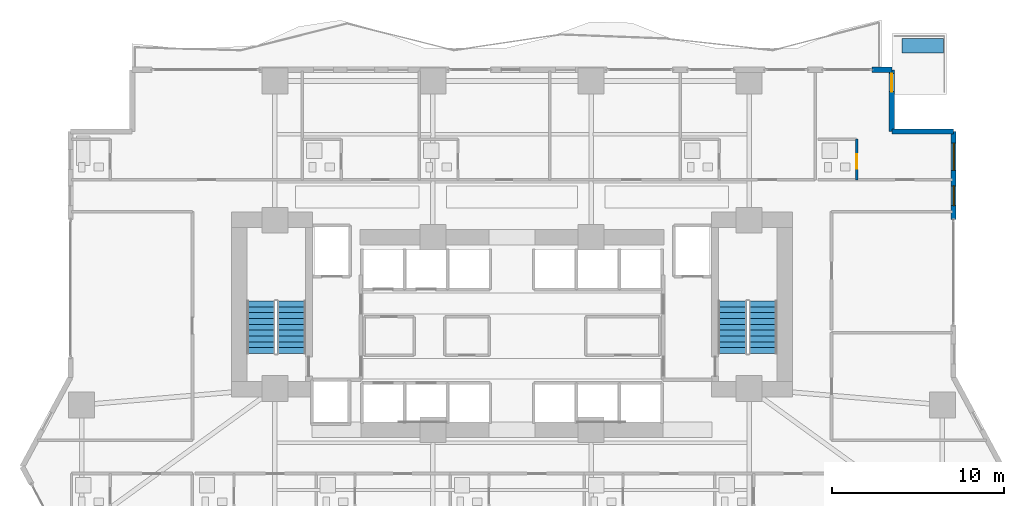
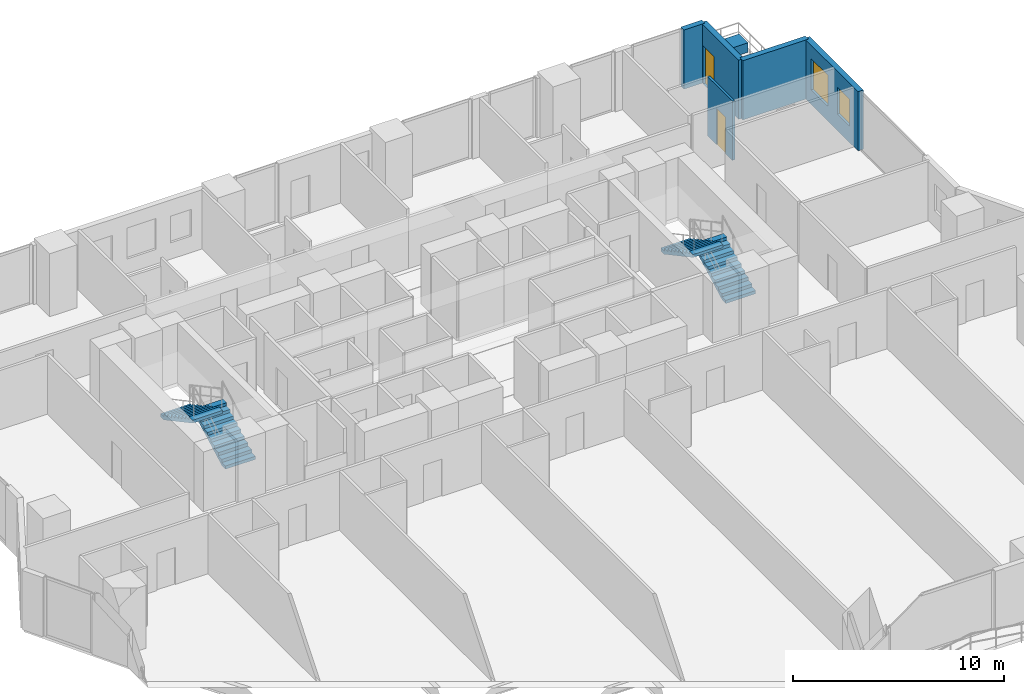
# One storey, part 23 of 28: 5 walls, 4 stair flights, 2 doors, 2 windows, 1 building element part, 4 openings, 2 elements without a shape of their own.
"""IFC4 building model written with IfcOpenShell, lengths in metres."""

import ifcopenshell
import ifcopenshell.guid

model = None  # the IFC model being written
_history = None  # IfcOwnerHistory: only IFC2X3 demands one
_inside = {}  # id of a spatial element -> (the spatial element, [elements in it])
_under = {}  # id of a project, library or spatial element -> (it, [spatial elements below it])
_declared = {}  # id of a project -> (the project, [libraries it declares])
_typed = {}  # id of a type object -> (the type object, [elements of that type])
_made_of = {}  # id of a material, layer set ... -> (it, [elements and type objects made of it])


def new_model(schema):
    """Start an empty IFC model of exactly this schema.

    Asked for "IFC4X3", IfcOpenShell would pick the latest addendum, in which some entities
    have other attributes; the version numbers below select the first issue.
    IFC2X3 requires an IfcOwnerHistory on every rooted entity: one is made here for all.
    """
    global model, _history
    if schema == "IFC4X3":
        model = ifcopenshell.file(schema_version=(4, 3, 0, 0))
    else:
        model = ifcopenshell.file(schema=schema)
    _inside.clear()
    _under.clear()
    _declared.clear()
    _typed.clear()
    _made_of.clear()
    _history = None
    if model.schema == "IFC2X3":
        org = make("IfcOrganization", Name="unknown")
        user = make(
            "IfcPersonAndOrganization",
            ThePerson=make("IfcPerson", FamilyName="unknown"),
            TheOrganization=org,
        )
        app = make(
            "IfcApplication",
            ApplicationDeveloper=org,
            Version="unknown",
            ApplicationFullName="unknown",
            ApplicationIdentifier="unknown",
        )
        _history = make(
            "IfcOwnerHistory",
            OwningUser=user,
            OwningApplication=app,
            ChangeAction="ADDED",
            CreationDate=0,
        )
    return model


def make(cls, **values):
    """One entity of the class cls with the attributes given. An attribute that is None is left unset."""
    return model.create_entity(
        cls, **{name: value for name, value in values.items() if value is not None}
    )


def rooted(cls, **values):
    """An entity with a GlobalId (a new one), such as an element, a storey or a relation."""
    return make(cls, GlobalId=ifcopenshell.guid.new(), OwnerHistory=_history, **values)


def si_unit(unit_type, name, prefix=None):
    """IfcSIUnit, for example si_unit("LENGTHUNIT", "METRE", prefix="MILLI")."""
    return make("IfcSIUnit", UnitType=unit_type, Prefix=prefix, Name=name)


def assignment(units):
    """IfcUnitAssignment: the units of a project."""
    return None if units is None else make("IfcUnitAssignment", Units=units)


def point(xyz):
    """IfcCartesianPoint."""
    return None if xyz is None else make("IfcCartesianPoint", Coordinates=xyz)


def direction(xyz):
    """IfcDirection."""
    return None if xyz is None else make("IfcDirection", DirectionRatios=xyz)


def frame(location, z_axis=None, x_axis=None):
    """IfcAxis2Placement3D, a coordinate frame: its origin and axes. An axis left out is left unset."""
    return make(
        "IfcAxis2Placement3D",
        Location=point(location),
        Axis=direction(z_axis),
        RefDirection=direction(x_axis),
    )


def frame_2d(location, x_axis=None):
    """IfcAxis2Placement2D, a coordinate frame in the plane: its origin and x axis."""
    return make(
        "IfcAxis2Placement2D", Location=point(location), RefDirection=direction(x_axis)
    )


def origin():
    """The frame at (0, 0, 0) with its axes left unset."""
    return frame((0.0, 0.0, 0.0))


def origin_2d():
    """The frame at (0, 0) in the plane with its x axis left unset."""
    return frame_2d((0.0, 0.0))


def place(relative_to, where):
    """IfcLocalPlacement: puts the frame where relative to a parent placement (None: the world)."""
    return make(
        "IfcLocalPlacement", PlacementRelTo=relative_to, RelativePlacement=where
    )


def context(
    kind, dimensions, precision=None, world=None, true_north=None, identifier=None
):
    """IfcGeometricRepresentationContext, for example the 3D "Model" context."""
    return make(
        "IfcGeometricRepresentationContext",
        ContextIdentifier=identifier,
        ContextType=kind,
        CoordinateSpaceDimension=dimensions,
        Precision=precision,
        WorldCoordinateSystem=world,
        TrueNorth=true_north,
    )


def subcontext(parent, identifier, kind, view, scale=None):
    """IfcGeometricRepresentationSubContext, for example "Body" below "Model"."""
    return make(
        "IfcGeometricRepresentationSubContext",
        ContextIdentifier=identifier,
        ContextType=kind,
        ParentContext=parent,
        TargetScale=scale,
        TargetView=view,
    )


def project(units=None, contexts=None):
    """IfcProject with its units and contexts."""
    return rooted(
        "IfcProject",
        Name="project",
        RepresentationContexts=contexts,
        UnitsInContext=assignment(units),
    )


def spatial(cls, under=None, at=None, **own):
    """A site, building, storey or space (cls), placed at a placement, below another one or the project."""
    s = rooted(cls, ObjectPlacement=at, **own)
    if under is not None:
        _under.setdefault(under.id(), (under, []))[1].append(s)
    return s


def polyline(points):
    """IfcPolyline through the points."""
    return make("IfcPolyline", Points=[point(p) for p in points])


def profile(cls, at=None, kind="AREA", **sizes):
    """A parametric profile (cls). Its sizes go by their IFC names, for example OverallWidth=200.0."""
    return make(cls, ProfileType=kind, Position=at, **sizes)


def rectangle(**sizes):
    """IfcRectangleProfileDef."""
    return profile("IfcRectangleProfileDef", **sizes)


def outline(outer, holes=None, kind="AREA"):
    """IfcArbitraryClosedProfileDef: a profile drawn as a closed curve; with holes, ...WithVoids."""
    if holes is None:
        return make("IfcArbitraryClosedProfileDef", ProfileType=kind, OuterCurve=outer)
    return make(
        "IfcArbitraryProfileDefWithVoids",
        ProfileType=kind,
        OuterCurve=outer,
        InnerCurves=holes,
    )


def extrude(swept, where, along, depth):
    """IfcExtrudedAreaSolid: the profile swept, set in the frame where, extruded along a direction by depth."""
    return make(
        "IfcExtrudedAreaSolid",
        SweptArea=swept,
        Position=where,
        ExtrudedDirection=direction(along),
        Depth=depth,
    )


def shape(context_of_items, identifier, shape_type, items):
    """IfcShapeRepresentation: the items that make up one representation, for example the "Body"."""
    return make(
        "IfcShapeRepresentation",
        ContextOfItems=context_of_items,
        RepresentationIdentifier=identifier,
        RepresentationType=shape_type,
        Items=items,
    )


def material(Name=None, Category=None):
    """IfcMaterial."""
    return make("IfcMaterial", Name=Name, Category=Category)


def layer(
    of_material, thickness, ventilated=None, Name=None, Category=None, Priority=None
):
    """IfcMaterialLayer: one layer of a wall or slab, of a material (None: an air gap)."""
    return make(
        "IfcMaterialLayer",
        Material=of_material,
        LayerThickness=thickness,
        IsVentilated=ventilated,
        Name=Name,
        Category=Category,
        Priority=Priority,
    )


def layer_set(layers, Name=None):
    """IfcMaterialLayerSet."""
    return make("IfcMaterialLayerSet", MaterialLayers=layers, LayerSetName=Name)


def made_of(thing, what):
    """Note that an element or type object is made of a material, layer set ...; save() writes the relation."""
    if what is not None:
        _made_of.setdefault(what.id(), (what, []))[1].append(thing)
    return thing


def type_object(cls, material=None, **own):
    """A type object (cls), such as IfcWallType, which elements share."""
    return made_of(rooted(cls, **own), material)


def element(
    cls,
    number,
    at=None,
    inside=None,
    cuts=None,
    type_object=None,
    material=None,
    context=None,
    identifier="Body",
    shape_type=None,
    held_by="IfcProductDefinitionShape",
    body=None,
    shapes=None,
    **own,
):
    """One element of the class cls, such as IfcWall. Its Tag is "e" and its number.

    at: its placement. inside: the storey or other place that contains it. cuts: it is an
    opening in that element (IfcRelVoidsElement). A single representation is given by context,
    identifier, shape_type and body (its items); several are given by shapes. held_by: the class
    of the entity that holds the representations. save() writes the other relations.
    """
    e = rooted(cls, Tag="e%d" % number, ObjectPlacement=at, **own)
    if body is not None:
        shapes = [shape(context, identifier, shape_type, body)]
    if shapes is not None:
        e.Representation = make(held_by, Representations=shapes)
    if inside is not None:
        _inside.setdefault(inside.id(), (inside, []))[1].append(e)
    if cuts is not None:
        rooted(
            "IfcRelVoidsElement", RelatingBuildingElement=cuts, RelatedOpeningElement=e
        )
    if type_object is not None:
        _typed.setdefault(type_object.id(), (type_object, []))[1].append(e)
    return made_of(e, material)


def fill(opening, filler):
    """IfcRelFillsElement: the door or window that sits in an opening."""
    return rooted(
        "IfcRelFillsElement",
        RelatingOpeningElement=opening,
        RelatedBuildingElement=filler,
    )


def aggregate(whole, parts):
    """IfcRelAggregates: a whole, such as a stair, and the parts it consists of."""
    return rooted("IfcRelAggregates", RelatingObject=whole, RelatedObjects=parts)


def save(model, path):
    """Write the relations noted so far, then the file.

    IfcRelAggregates (storeys below a building ...), IfcRelContainedInSpatialStructure (elements
    in a storey), IfcRelDefinesByType, IfcRelAssociatesMaterial and IfcRelDeclares: one each for
    every whole, place, type object, material and project.
    """
    for whole, parts in _under.values():
        aggregate(whole, parts)
    for where, things in _inside.values():
        rooted(
            "IfcRelContainedInSpatialStructure",
            RelatedElements=things,
            RelatingStructure=where,
        )
    for kind, things in _typed.values():
        rooted("IfcRelDefinesByType", RelatedObjects=things, RelatingType=kind)
    for what, things in _made_of.values():
        rooted("IfcRelAssociatesMaterial", RelatedObjects=things, RelatingMaterial=what)
    for by, libraries in _declared.values():
        rooted("IfcRelDeclares", RelatingContext=by, RelatedDefinitions=libraries)
    model.write(path)


model = new_model("IFC4")

# Units and contexts
model_context = context("Model", 3, precision=1e-05, world=origin(), true_north=direction((0.0, 1.0)))
body_context = subcontext(model_context, "Body", "Model", "MODEL_VIEW")
ifc_project = project(units=[si_unit("LENGTHUNIT", "METRE"), si_unit("AREAUNIT", "SQUARE_METRE"), si_unit("VOLUMEUNIT", "CUBIC_METRE"), si_unit("PLANEANGLEUNIT", "RADIAN"), si_unit("MASSUNIT", "GRAM", prefix="KILO")], contexts=[model_context])

# Site, building, storey
site_placement = place(None, origin())
site = spatial("IfcSite", under=ifc_project, at=site_placement, CompositionType="ELEMENT")
building_placement = place(site_placement, origin())
building = spatial("IfcBuilding", under=site, at=building_placement, Name="Zuhayl Quay Hotel", CompositionType="ELEMENT")
storey_placement = place(building_placement, frame((0.0, 0.0, 56.800048828125)))
storey = spatial("IfcBuildingStorey", under=building, at=storey_placement, Name="L13", CompositionType="ELEMENT", Elevation=56.800048828125)

# Wall
ifc_material_1 = material(Name="Precast concrete C45/55", Category="concrete")
ifc_layer_1 = layer(ifc_material_1, 0.300048828125, Name="Precast concrete C45/55", Category="concrete")
ifc_layer_set_1 = layer_set([ifc_layer_1], Name="Precast concrete C45/55")
wall_type_1 = type_object("IfcWallType", Name="WL_EXT_300", PredefinedType="STANDARD", material=ifc_layer_set_1)
wall_1_placement = place(storey_placement, frame((20.949951171875, 23.10009765625, 0.0), z_axis=(0.0, 0.0, 1.0), x_axis=(1.0, 0.0, 0.0)))
element("IfcWall", 1, at=wall_1_placement, inside=storey, type_object=wall_type_1, Name="L13 Exterior Precast Wall ENV_L13_N_EW7", PredefinedType="STANDARD", context=body_context, shape_type="SweptSolid", body=[
    extrude(rectangle(XDim=1.150146484375, YDim=0.300048828125, at=frame_2d((0.5751953125, 0.0))), origin(), (0.0, 0.0, 1.0), 3.429931640625),
])

# Wall, opening, door
wall_2_placement = place(storey_placement, frame((22.10009765625, 23.10009765625, 0.0), z_axis=(0.0, 0.0, 1.0), x_axis=(0.0, -1.0, 0.0)))
wall_2 = element("IfcWall", 2, at=wall_2_placement, inside=storey, type_object=wall_type_1, Name="L13 Exterior Precast Wall ENV_L13_SP_NE", PredefinedType="STANDARD", context=body_context, shape_type="SweptSolid", body=[
    extrude(rectangle(XDim=3.60009765625, YDim=0.300048828125, at=frame_2d((1.800048828125, 0.0))), origin(), (0.0, 0.0, 1.0), 3.429931640625),
])
opening_1_placement = place(wall_2_placement, frame((0.219970703125, 0.0, 0.0)))
opening_1 = element("IfcOpeningElement", 3, at=opening_1_placement, cuts=wall_2, Name="Opening DG1", PredefinedType="OPENING", context=body_context, shape_type="SweptSolid", body=[
    extrude(rectangle(XDim=1.050048828125, YDim=2.199951171875, at=frame_2d((0.52490234375, 1.10009765625))), frame((0.0, 0.159912109375, 0.0), z_axis=(0.0, -1.0, 0.0), x_axis=(1.0, 0.0, 0.0)), (0.0, 0.0, 1.0), 0.320068359375),
])
ifc_material_2 = material(Name="Anodised Aluminium and Dark Solar Glass", Category="aluminium")
door_type_1 = type_object("IfcDoorType", Name="DR_EXT_TERR_1050", OperationType="NOTDEFINED", PredefinedType="DOOR", material=ifc_material_2)
door_1_placement = place(opening_1_placement, origin())
door_1 = element("IfcDoor", 4, at=door_1_placement, inside=storey, type_object=door_type_1, Name="L13 Spiral Sky-Terrace NE Access Door", OperationType="SINGLE_SWING_LEFT", OverallHeight=2.199951171875, OverallWidth=1.050048828125, PredefinedType="DOOR", context=body_context, shape_type="SweptSolid", body=[
    extrude(rectangle(XDim=1.050048828125, YDim=2.199951171875, at=frame_2d((0.52490234375, 1.10009765625))), frame((0.0, 0.02490234375, 0.0), z_axis=(0.0, -1.0, 0.0), x_axis=(1.0, 0.0, 0.0)), (0.0, 0.0, 1.0), 0.050048828125),
])
fill(opening_1, door_1)

# Wall
wall_3_placement = place(storey_placement, frame((22.10009765625, 19.5, 0.0), z_axis=(0.0, 0.0, 1.0), x_axis=(1.0, 0.0, 0.0)))
element("IfcWall", 5, at=wall_3_placement, inside=storey, type_object=wall_type_1, Name="L13 Exterior Precast Wall ENV_L13_EW10", PredefinedType="STANDARD", context=body_context, shape_type="SweptSolid", body=[
    extrude(rectangle(XDim=3.599853515625, YDim=0.300048828125, at=frame_2d((1.7998046875, 0.0))), origin(), (0.0, 0.0, 1.0), 3.429931640625),
])

# Wall, openings, windows
wall_4_placement = place(storey_placement, frame((25.699951171875, 19.5, 0.0), z_axis=(0.0, 0.0, 1.0), x_axis=(0.0, -1.0, 0.0)))
wall_4 = element("IfcWall", 6, at=wall_4_placement, inside=storey, type_object=wall_type_1, Name="L13 Exterior Precast Wall ENV_L13_E11_EW1", PredefinedType="STANDARD", context=body_context, shape_type="SweptSolid", body=[
    extrude(rectangle(XDim=5.10009765625, YDim=0.300048828125, at=frame_2d((2.550048828125, 0.0))), origin(), (0.0, 0.0, 1.0), 3.429931640625),
])
opening_2_placement = place(wall_4_placement, frame((0.659912109375, 0.0, 0.85009765625)))
opening_2 = element("IfcOpeningElement", 7, at=opening_2_placement, cuts=wall_4, Name="Opening W01", PredefinedType="OPENING", context=body_context, shape_type="SweptSolid", body=[
    extrude(rectangle(XDim=1.60009765625, YDim=1.800048828125, at=frame_2d((0.800048828125, 0.89990234375))), frame((0.0, 0.159912109375, 0.0), z_axis=(0.0, -1.0, 0.0), x_axis=(1.0, 0.0, 0.0)), (0.0, 0.0, 1.0), 0.320068359375),
])
opening_3_placement = place(wall_4_placement, frame((3.14990234375, 0.0, 0.949951171875)))
opening_3 = element("IfcOpeningElement", 8, at=opening_3_placement, cuts=wall_4, Name="Opening W01N", PredefinedType="OPENING", context=body_context, shape_type="SweptSolid", body=[
    extrude(rectangle(XDim=1.14990234375, YDim=1.550048828125, at=frame_2d((0.574951171875, 0.77490234375))), frame((0.0, 0.159912109375, 0.0), z_axis=(0.0, -1.0, 0.0), x_axis=(1.0, 0.0, 0.0)), (0.0, 0.0, 1.0), 0.320068359375),
])
ifc_material_3 = material(Name="Dark Ceramic-Fritted Solar Glass", Category="glass")
window_type_1 = type_object("IfcWindowType", Name="WN_NOTCH_1350", PartitioningType="SINGLE_PANEL", PredefinedType="WINDOW", material=ifc_material_3)
window_1_placement = place(opening_3_placement, origin())
window_1 = element("IfcWindow", 9, at=window_1_placement, inside=storey, type_object=window_type_1, Name="L13 Operable Facade Window 1-2", OverallHeight=1.550048828125, OverallWidth=1.14990234375, PartitioningType="SINGLE_PANEL", PredefinedType="WINDOW", context=body_context, shape_type="SweptSolid", body=[
    extrude(rectangle(XDim=1.14990234375, YDim=1.550048828125, at=frame_2d((0.574951171875, 0.77490234375))), frame((0.0, 0.030029296875, 0.0), z_axis=(0.0, -1.0, 0.0), x_axis=(1.0, 0.0, 0.0)), (0.0, 0.0, 1.0), 0.06005859375),
])
fill(opening_3, window_1)
window_type_2 = type_object("IfcWindowType", Name="WN_OPERABLE_1600", PartitioningType="DOUBLE_PANEL_VERTICAL", PredefinedType="WINDOW", material=ifc_material_3)
window_2_placement = place(opening_2_placement, origin())
window_2 = element("IfcWindow", 10, at=window_2_placement, inside=storey, type_object=window_type_2, Name="L13 Operable Facade Window 1-1", OverallHeight=1.800048828125, OverallWidth=1.60009765625, PartitioningType="SINGLE_PANEL", PredefinedType="WINDOW", context=body_context, shape_type="SweptSolid", body=[
    extrude(rectangle(XDim=1.60009765625, YDim=1.800048828125, at=frame_2d((0.800048828125, 0.89990234375))), frame((0.0, 0.030029296875, 0.0), z_axis=(0.0, -1.0, 0.0), x_axis=(1.0, 0.0, 0.0)), (0.0, 0.0, 1.0), 0.06005859375),
])
fill(opening_2, window_2)

# Wall, opening, door
ifc_material_4 = material(Name="Moisture-Resistant Sanitarychase Gypsum")
ifc_layer_2 = layer(ifc_material_4, 0.135009765625, Name="Moisture-Resistant Sanitarychase Gypsum")
ifc_layer_set_2 = layer_set([ifc_layer_2], Name="Moisture-Resistant Sanitarychase Gypsum")
wall_type_2 = type_object("IfcWallType", Name="WL_PART_PLUMB_150", PredefinedType="PLUMBINGWALL", material=ifc_layer_set_2)
wall_5_placement = place(storey_placement, frame((20.06005859375, 16.699951171875, 0.0), z_axis=(0.0, 0.0, 1.0), x_axis=(0.0, 1.0, 0.0)))
wall_5 = element("IfcWall", 11, at=wall_5_placement, inside=storey, type_object=wall_type_2, Name="L13 Partition IW_L13_NU05B_BE", PredefinedType="PLUMBINGWALL", context=body_context, shape_type="SweptSolid", body=[
    extrude(rectangle(XDim=2.360107421875, YDim=0.135009765625, at=frame_2d((1.18017578125, 0.0))), origin(), (0.0, 0.0, 1.0), 3.429931640625),
])
opening_4_placement = place(wall_5_placement, frame((0.64990234375, 0.0, 0.0)))
opening_4 = element("IfcOpeningElement", 12, at=opening_4_placement, cuts=wall_5, Name="Opening D04", PredefinedType="OPENING", context=body_context, shape_type="SweptSolid", body=[
    extrude(rectangle(XDim=0.85009765625, YDim=2.10009765625, at=frame_2d((0.425048828125, 1.050048828125))), frame((0.0, 0.077392578125, 0.0), z_axis=(0.0, -1.0, 0.0), x_axis=(1.0, 0.0, 0.0)), (0.0, 0.0, 1.0), 0.155029296875),
])
ifc_material_5 = material(Name="Moisture-Resistant Walnut Veneer")
door_type_2 = type_object("IfcDoorType", Name="DR_BATH_850", OperationType="NOTDEFINED", PredefinedType="DOOR", material=ifc_material_5)
door_2_placement = place(opening_4_placement, origin())
door_2 = element("IfcDoor", 13, at=door_2_placement, inside=storey, type_object=door_type_2, Name="L13 Deluxe Gulf Guest Room L13-05B En-Suite Door", OperationType="SINGLE_SWING_LEFT", OverallHeight=2.10009765625, OverallWidth=0.85009765625, PredefinedType="DOOR", context=body_context, shape_type="SweptSolid", body=[
    extrude(rectangle(XDim=0.85009765625, YDim=2.10009765625, at=frame_2d((0.425048828125, 1.050048828125))), frame((0.0, 0.02490234375, 0.0), z_axis=(0.0, -1.0, 0.0), x_axis=(1.0, 0.0, 0.0)), (0.0, 0.0, 1.0), 0.050048828125),
])
fill(opening_4, door_2)

# Stair, stair flights
ifc_material_6 = material(Name="Concrete C45/55", Category="concrete")
stair_type = type_object("IfcStairType", Name="ST_DOGLEG_TOWER", PredefinedType="HALF_TURN_STAIR", material=ifc_material_6)
stair_1_placement = place(storey_placement, origin())
stair_1 = element("IfcStair", 14, at=stair_1_placement, inside=storey, type_object=stair_type, Name="L13 Smokeproof Exit Stair ST1", PredefinedType="HALF_TURN_STAIR")
ifc_layer_3 = layer(ifc_material_6, 0.159912109375, Name="Concrete C45/55", Category="concrete")
ifc_layer_set_3 = layer_set([ifc_layer_3], Name="Concrete C45/55")
stair_flight_type = type_object("IfcStairFlightType", Name="SF_CONC_164", PredefinedType="STRAIGHT", material=ifc_layer_set_3)
stair_flight_1_placement = place(storey_placement, frame((-12.820068359375, 6.590087890625, 0.0), z_axis=(0.0, 0.0, 1.0), x_axis=(0.0, 1.0, 0.0)))
stair_flight_1 = element("IfcStairFlight", 15, at=stair_flight_1_placement, type_object=stair_flight_type, Name="ST1 flight 1", NumberOfRisers=10, NumberOfTreads=9, PredefinedType="STRAIGHT", RiserHeight=0.1825, TreadLength=0.34, context=body_context, shape_type="SweptSolid", body=[
    extrude(outline(polyline([(0.0, 0.0), (0.0, 0.1826171875), (0.340087890625, 0.1826171875), (0.340087890625, 0.364990234375), (0.679931640625, 0.364990234375), (0.679931640625, 0.547607421875), (1.02001953125, 0.547607421875), (1.02001953125, 0.72998046875), (1.360107421875, 0.72998046875), (1.360107421875, 0.91259765625), (1.699951171875, 0.91259765625), (1.699951171875, 1.094970703125), (2.0400390625, 1.094970703125), (2.0400390625, 1.277587890625), (2.3798828125, 1.277587890625), (2.3798828125, 1.4599609375), (2.719970703125, 1.4599609375), (2.719970703125, 1.642578125), (3.06005859375, 1.642578125), (3.06005859375, 1.824951171875), (3.06005859375, 1.472412109375), (0.31689453125, 0.0), (0.0, 0.0)])), frame((0.0, 0.81982421875, 0.0), z_axis=(0.0, -1.0, 0.0), x_axis=(1.0, 0.0, 0.0)), (0.0, 0.0, 1.0), 1.639892578125),
])
stair_flight_2_placement = place(storey_placement, frame((-14.610107421875, 9.64990234375, 1.824951171875), z_axis=(0.0, 0.0, 1.0), x_axis=(0.0, -1.0, 0.0)))
stair_flight_2 = element("IfcStairFlight", 16, at=stair_flight_2_placement, type_object=stair_flight_type, Name="ST1 flight 2", NumberOfRisers=10, NumberOfTreads=9, PredefinedType="STRAIGHT", RiserHeight=0.1825, TreadLength=0.34, context=body_context, shape_type="SweptSolid", body=[
    extrude(outline(polyline([(0.0, 0.0), (0.0, 0.1826171875), (0.340087890625, 0.1826171875), (0.340087890625, 0.364990234375), (0.679931640625, 0.364990234375), (0.679931640625, 0.547607421875), (1.02001953125, 0.547607421875), (1.02001953125, 0.72998046875), (1.360107421875, 0.72998046875), (1.360107421875, 0.91259765625), (1.699951171875, 0.91259765625), (1.699951171875, 1.094970703125), (2.0400390625, 1.094970703125), (2.0400390625, 1.277587890625), (2.3798828125, 1.277587890625), (2.3798828125, 1.4599609375), (2.719970703125, 1.4599609375), (2.719970703125, 1.642578125), (3.06005859375, 1.642578125), (3.06005859375, 1.824951171875), (3.06005859375, 1.472412109375), (0.31689453125, 0.0), (0.0, 0.0)])), frame((0.0, 0.81982421875, 0.0), z_axis=(0.0, -1.0, 0.0), x_axis=(1.0, 0.0, 0.0)), (0.0, 0.0, 1.0), 1.639892578125),
])
aggregate(stair_1, [stair_flight_1, stair_flight_2])

stair_2_placement = place(storey_placement, origin())
stair_2 = element("IfcStair", 17, at=stair_2_placement, inside=storey, type_object=stair_type, Name="L13 Smokeproof Exit Stair ST2", PredefinedType="HALF_TURN_STAIR")
stair_flight_3_placement = place(storey_placement, frame((14.610107421875, 6.590087890625, 0.0), z_axis=(0.0, 0.0, 1.0), x_axis=(0.0, 1.0, 0.0)))
stair_flight_3 = element("IfcStairFlight", 18, at=stair_flight_3_placement, type_object=stair_flight_type, Name="ST2 flight 1", NumberOfRisers=10, NumberOfTreads=9, PredefinedType="STRAIGHT", RiserHeight=0.1825, TreadLength=0.34, context=body_context, shape_type="SweptSolid", body=[
    extrude(outline(polyline([(0.0, 0.0), (0.0, 0.1826171875), (0.340087890625, 0.1826171875), (0.340087890625, 0.364990234375), (0.679931640625, 0.364990234375), (0.679931640625, 0.547607421875), (1.02001953125, 0.547607421875), (1.02001953125, 0.72998046875), (1.360107421875, 0.72998046875), (1.360107421875, 0.91259765625), (1.699951171875, 0.91259765625), (1.699951171875, 1.094970703125), (2.0400390625, 1.094970703125), (2.0400390625, 1.277587890625), (2.3798828125, 1.277587890625), (2.3798828125, 1.4599609375), (2.719970703125, 1.4599609375), (2.719970703125, 1.642578125), (3.06005859375, 1.642578125), (3.06005859375, 1.824951171875), (3.06005859375, 1.472412109375), (0.31689453125, 0.0), (0.0, 0.0)])), frame((0.0, 0.81982421875, 0.0), z_axis=(0.0, -1.0, 0.0), x_axis=(1.0, 0.0, 0.0)), (0.0, 0.0, 1.0), 1.639892578125),
])
stair_flight_4_placement = place(storey_placement, frame((12.820068359375, 9.64990234375, 1.824951171875), z_axis=(0.0, 0.0, 1.0), x_axis=(0.0, -1.0, 0.0)))
stair_flight_4 = element("IfcStairFlight", 19, at=stair_flight_4_placement, type_object=stair_flight_type, Name="ST2 flight 2", NumberOfRisers=10, NumberOfTreads=9, PredefinedType="STRAIGHT", RiserHeight=0.1825, TreadLength=0.34, context=body_context, shape_type="SweptSolid", body=[
    extrude(outline(polyline([(0.0, 0.0), (0.0, 0.1826171875), (0.340087890625, 0.1826171875), (0.340087890625, 0.364990234375), (0.679931640625, 0.364990234375), (0.679931640625, 0.547607421875), (1.02001953125, 0.547607421875), (1.02001953125, 0.72998046875), (1.360107421875, 0.72998046875), (1.360107421875, 0.91259765625), (1.699951171875, 0.91259765625), (1.699951171875, 1.094970703125), (2.0400390625, 1.094970703125), (2.0400390625, 1.277587890625), (2.3798828125, 1.277587890625), (2.3798828125, 1.4599609375), (2.719970703125, 1.4599609375), (2.719970703125, 1.642578125), (3.06005859375, 1.642578125), (3.06005859375, 1.824951171875), (3.06005859375, 1.472412109375), (0.31689453125, 0.0), (0.0, 0.0)])), frame((0.0, 0.81982421875, 0.0), z_axis=(0.0, -1.0, 0.0), x_axis=(1.0, 0.0, 0.0)), (0.0, 0.0, 1.0), 1.639892578125),
])
aggregate(stair_2, [stair_flight_3, stair_flight_4])

# Building element part
ifc_layer_4 = layer(ifc_material_1, 0.550048828125, Name="Precast concrete C45/55", Category="concrete")
ifc_layer_set_4 = layer_set([ifc_layer_4], Name="Precast concrete C45/55")
building_element_part_type = type_object("IfcBuildingElementPartType", Name="PT_PLANTER_KERB", PredefinedType="PRECASTPANEL", material=ifc_layer_set_4)
building_element_part_placement = place(storey_placement, frame((23.909912109375, 24.510009765625, 0.0), z_axis=(0.0, 0.0, 1.0), x_axis=(1.0, 0.0, 0.0)))
element("IfcBuildingElementPart", 20, at=building_element_part_placement, inside=storey, type_object=building_element_part_type, Name="L13 Spiral Sky-Terrace Planter Box NE", PredefinedType="PRECASTPANEL", context=body_context, shape_type="SweptSolid", body=[
    extrude(rectangle(XDim=2.39990234375, YDim=0.85009765625, at=origin_2d()), origin(), (0.0, 0.0, 1.0), 0.550048828125),
])

save(model, "model.ifc")
